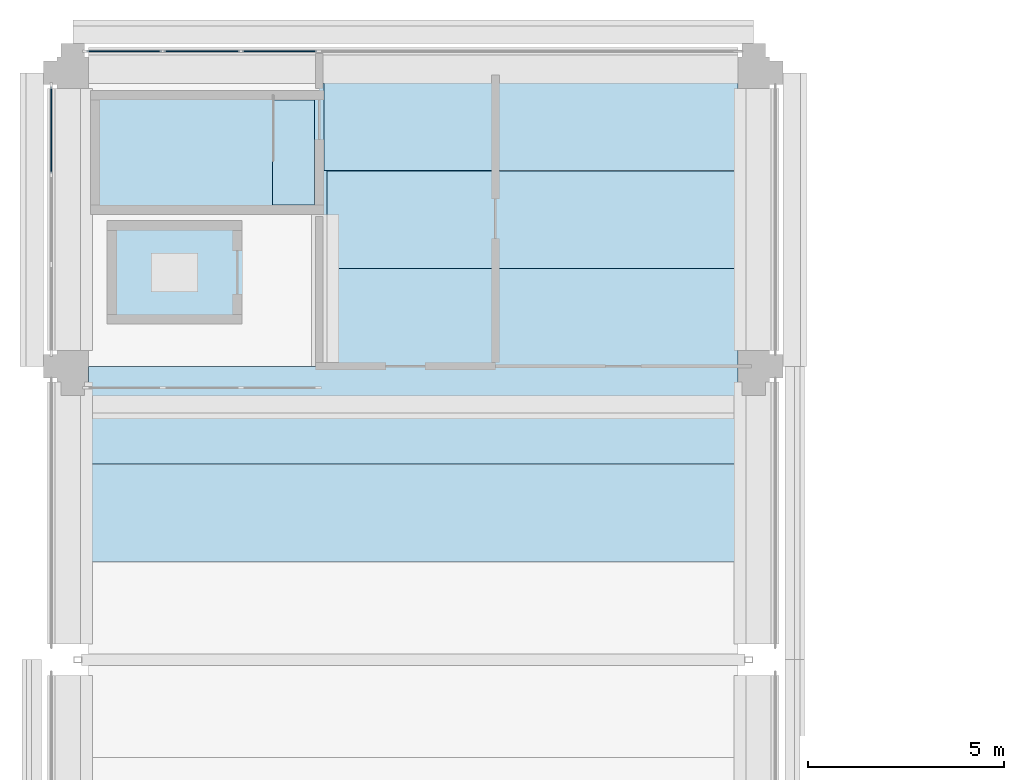
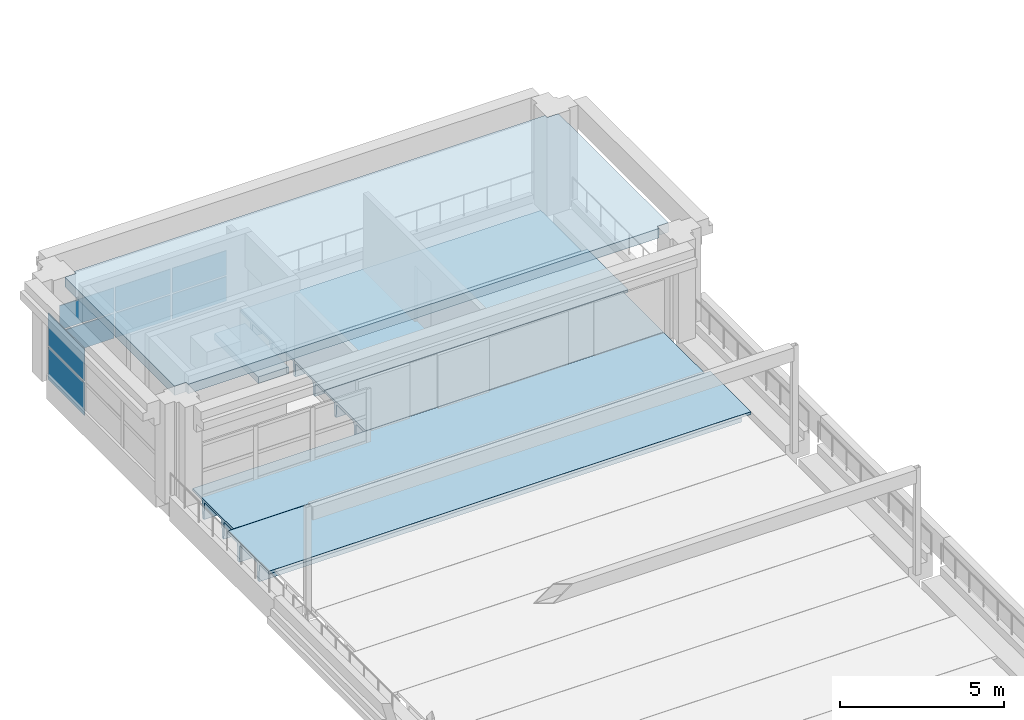
# One storey, part 37 of 62: 8 plates, 7 slabs, 2 elements without a shape of their own.
"""IFC4 building model written with IfcOpenShell, lengths in metres."""

import ifcopenshell
import ifcopenshell.guid

model = None  # the IFC model being written
_history = None  # IfcOwnerHistory: only IFC2X3 demands one
_inside = {}  # id of a spatial element -> (the spatial element, [elements in it])
_under = {}  # id of a project, library or spatial element -> (it, [spatial elements below it])
_declared = {}  # id of a project -> (the project, [libraries it declares])
_typed = {}  # id of a type object -> (the type object, [elements of that type])
_made_of = {}  # id of a material, layer set ... -> (it, [elements and type objects made of it])


def new_model(schema):
    """Start an empty IFC model of exactly this schema.

    Asked for "IFC4X3", IfcOpenShell would pick the latest addendum, in which some entities
    have other attributes; the version numbers below select the first issue.
    IFC2X3 requires an IfcOwnerHistory on every rooted entity: one is made here for all.
    """
    global model, _history
    if schema == "IFC4X3":
        model = ifcopenshell.file(schema_version=(4, 3, 0, 0))
    else:
        model = ifcopenshell.file(schema=schema)
    _inside.clear()
    _under.clear()
    _declared.clear()
    _typed.clear()
    _made_of.clear()
    _history = None
    if model.schema == "IFC2X3":
        org = make("IfcOrganization", Name="unknown")
        user = make(
            "IfcPersonAndOrganization",
            ThePerson=make("IfcPerson", FamilyName="unknown"),
            TheOrganization=org,
        )
        app = make(
            "IfcApplication",
            ApplicationDeveloper=org,
            Version="unknown",
            ApplicationFullName="unknown",
            ApplicationIdentifier="unknown",
        )
        _history = make(
            "IfcOwnerHistory",
            OwningUser=user,
            OwningApplication=app,
            ChangeAction="ADDED",
            CreationDate=0,
        )
    return model


def make(cls, **values):
    """One entity of the class cls with the attributes given. An attribute that is None is left unset."""
    return model.create_entity(
        cls, **{name: value for name, value in values.items() if value is not None}
    )


def rooted(cls, **values):
    """An entity with a GlobalId (a new one), such as an element, a storey or a relation."""
    return make(cls, GlobalId=ifcopenshell.guid.new(), OwnerHistory=_history, **values)


def si_unit(unit_type, name, prefix=None):
    """IfcSIUnit, for example si_unit("LENGTHUNIT", "METRE", prefix="MILLI")."""
    return make("IfcSIUnit", UnitType=unit_type, Prefix=prefix, Name=name)


def assignment(units):
    """IfcUnitAssignment: the units of a project."""
    return None if units is None else make("IfcUnitAssignment", Units=units)


def point(xyz):
    """IfcCartesianPoint."""
    return None if xyz is None else make("IfcCartesianPoint", Coordinates=xyz)


def direction(xyz):
    """IfcDirection."""
    return None if xyz is None else make("IfcDirection", DirectionRatios=xyz)


def frame(location, z_axis=None, x_axis=None):
    """IfcAxis2Placement3D, a coordinate frame: its origin and axes. An axis left out is left unset."""
    return make(
        "IfcAxis2Placement3D",
        Location=point(location),
        Axis=direction(z_axis),
        RefDirection=direction(x_axis),
    )


def frame_2d(location, x_axis=None):
    """IfcAxis2Placement2D, a coordinate frame in the plane: its origin and x axis."""
    return make(
        "IfcAxis2Placement2D", Location=point(location), RefDirection=direction(x_axis)
    )


def origin():
    """The frame at (0, 0, 0) with its axes left unset."""
    return frame((0.0, 0.0, 0.0))


def origin_2d():
    """The frame at (0, 0) in the plane with its x axis left unset."""
    return frame_2d((0.0, 0.0))


def place(relative_to, where):
    """IfcLocalPlacement: puts the frame where relative to a parent placement (None: the world)."""
    return make(
        "IfcLocalPlacement", PlacementRelTo=relative_to, RelativePlacement=where
    )


def context(
    kind, dimensions, precision=None, world=None, true_north=None, identifier=None
):
    """IfcGeometricRepresentationContext, for example the 3D "Model" context."""
    return make(
        "IfcGeometricRepresentationContext",
        ContextIdentifier=identifier,
        ContextType=kind,
        CoordinateSpaceDimension=dimensions,
        Precision=precision,
        WorldCoordinateSystem=world,
        TrueNorth=true_north,
    )


def subcontext(parent, identifier, kind, view, scale=None):
    """IfcGeometricRepresentationSubContext, for example "Body" below "Model"."""
    return make(
        "IfcGeometricRepresentationSubContext",
        ContextIdentifier=identifier,
        ContextType=kind,
        ParentContext=parent,
        TargetScale=scale,
        TargetView=view,
    )


def project(units=None, contexts=None):
    """IfcProject with its units and contexts."""
    return rooted(
        "IfcProject",
        Name="project",
        RepresentationContexts=contexts,
        UnitsInContext=assignment(units),
    )


def spatial(cls, under=None, at=None, **own):
    """A site, building, storey or space (cls), placed at a placement, below another one or the project."""
    s = rooted(cls, ObjectPlacement=at, **own)
    if under is not None:
        _under.setdefault(under.id(), (under, []))[1].append(s)
    return s


def polyline(points):
    """IfcPolyline through the points."""
    return make("IfcPolyline", Points=[point(p) for p in points])


def profile(cls, at=None, kind="AREA", **sizes):
    """A parametric profile (cls). Its sizes go by their IFC names, for example OverallWidth=200.0."""
    return make(cls, ProfileType=kind, Position=at, **sizes)


def rectangle(**sizes):
    """IfcRectangleProfileDef."""
    return profile("IfcRectangleProfileDef", **sizes)


def outline(outer, holes=None, kind="AREA"):
    """IfcArbitraryClosedProfileDef: a profile drawn as a closed curve; with holes, ...WithVoids."""
    if holes is None:
        return make("IfcArbitraryClosedProfileDef", ProfileType=kind, OuterCurve=outer)
    return make(
        "IfcArbitraryProfileDefWithVoids",
        ProfileType=kind,
        OuterCurve=outer,
        InnerCurves=holes,
    )


def extrude(swept, where, along, depth):
    """IfcExtrudedAreaSolid: the profile swept, set in the frame where, extruded along a direction by depth."""
    return make(
        "IfcExtrudedAreaSolid",
        SweptArea=swept,
        Position=where,
        ExtrudedDirection=direction(along),
        Depth=depth,
    )


def shape(context_of_items, identifier, shape_type, items):
    """IfcShapeRepresentation: the items that make up one representation, for example the "Body"."""
    return make(
        "IfcShapeRepresentation",
        ContextOfItems=context_of_items,
        RepresentationIdentifier=identifier,
        RepresentationType=shape_type,
        Items=items,
    )


def material(Name=None, Category=None):
    """IfcMaterial."""
    return make("IfcMaterial", Name=Name, Category=Category)


def layer(
    of_material, thickness, ventilated=None, Name=None, Category=None, Priority=None
):
    """IfcMaterialLayer: one layer of a wall or slab, of a material (None: an air gap)."""
    return make(
        "IfcMaterialLayer",
        Material=of_material,
        LayerThickness=thickness,
        IsVentilated=ventilated,
        Name=Name,
        Category=Category,
        Priority=Priority,
    )


def layer_set(layers, Name=None):
    """IfcMaterialLayerSet."""
    return make("IfcMaterialLayerSet", MaterialLayers=layers, LayerSetName=Name)


def material_profile(
    of_material, cross_section, Name=None, Category=None, Priority=None
):
    """IfcMaterialProfile: a cross section and its material."""
    return make(
        "IfcMaterialProfile",
        Name=Name,
        Material=of_material,
        Profile=cross_section,
        Priority=Priority,
        Category=Category,
    )


def profile_set(profiles, Name=None, composite=None):
    """IfcMaterialProfileSet."""
    return make(
        "IfcMaterialProfileSet",
        Name=Name,
        MaterialProfiles=profiles,
        CompositeProfile=composite,
    )


def made_of(thing, what):
    """Note that an element or type object is made of a material, layer set ...; save() writes the relation."""
    if what is not None:
        _made_of.setdefault(what.id(), (what, []))[1].append(thing)
    return thing


def type_object(cls, material=None, **own):
    """A type object (cls), such as IfcWallType, which elements share."""
    return made_of(rooted(cls, **own), material)


def element(
    cls,
    number,
    at=None,
    inside=None,
    cuts=None,
    type_object=None,
    material=None,
    context=None,
    identifier="Body",
    shape_type=None,
    held_by="IfcProductDefinitionShape",
    body=None,
    shapes=None,
    **own,
):
    """One element of the class cls, such as IfcWall. Its Tag is "e" and its number.

    at: its placement. inside: the storey or other place that contains it. cuts: it is an
    opening in that element (IfcRelVoidsElement). A single representation is given by context,
    identifier, shape_type and body (its items); several are given by shapes. held_by: the class
    of the entity that holds the representations. save() writes the other relations.
    """
    e = rooted(cls, Tag="e%d" % number, ObjectPlacement=at, **own)
    if body is not None:
        shapes = [shape(context, identifier, shape_type, body)]
    if shapes is not None:
        e.Representation = make(held_by, Representations=shapes)
    if inside is not None:
        _inside.setdefault(inside.id(), (inside, []))[1].append(e)
    if cuts is not None:
        rooted(
            "IfcRelVoidsElement", RelatingBuildingElement=cuts, RelatedOpeningElement=e
        )
    if type_object is not None:
        _typed.setdefault(type_object.id(), (type_object, []))[1].append(e)
    return made_of(e, material)


def aggregate(whole, parts):
    """IfcRelAggregates: a whole, such as a stair, and the parts it consists of."""
    return rooted("IfcRelAggregates", RelatingObject=whole, RelatedObjects=parts)


def save(model, path):
    """Write the relations noted so far, then the file.

    IfcRelAggregates (storeys below a building ...), IfcRelContainedInSpatialStructure (elements
    in a storey), IfcRelDefinesByType, IfcRelAssociatesMaterial and IfcRelDeclares: one each for
    every whole, place, type object, material and project.
    """
    for whole, parts in _under.values():
        aggregate(whole, parts)
    for where, things in _inside.values():
        rooted(
            "IfcRelContainedInSpatialStructure",
            RelatedElements=things,
            RelatingStructure=where,
        )
    for kind, things in _typed.values():
        rooted("IfcRelDefinesByType", RelatedObjects=things, RelatingType=kind)
    for what, things in _made_of.values():
        rooted("IfcRelAssociatesMaterial", RelatedObjects=things, RelatingMaterial=what)
    for by, libraries in _declared.values():
        rooted("IfcRelDeclares", RelatingContext=by, RelatedDefinitions=libraries)
    model.write(path)


model = new_model("IFC4")

# Units and contexts
model_context = context("Model", 3, precision=1e-05, world=origin(), true_north=direction((0.0, 1.0)))
body_context = subcontext(model_context, "Body", "Model", "MODEL_VIEW")
ifc_project = project(units=[si_unit("LENGTHUNIT", "METRE"), si_unit("AREAUNIT", "SQUARE_METRE"), si_unit("VOLUMEUNIT", "CUBIC_METRE"), si_unit("PLANEANGLEUNIT", "RADIAN"), si_unit("MASSUNIT", "GRAM", prefix="KILO")], contexts=[model_context])

# Site, building, storey
site_placement = place(None, origin())
site = spatial("IfcSite", under=ifc_project, at=site_placement, CompositionType="ELEMENT")
building_placement = place(site_placement, origin())
building = spatial("IfcBuilding", under=site, at=building_placement, Name="Cour d'Honneur Mobility Palace", CompositionType="ELEMENT")
storey_placement = place(building_placement, frame((0.0, 0.0, 19.300048828125)))
storey = spatial("IfcBuildingStorey", under=building, at=storey_placement, Name="L05", CompositionType="ELEMENT", Elevation=19.300048828125)

# Slab
ifc_material_1 = material(Name="Concrete C50", Category="concrete")
ifc_layer_1 = layer(ifc_material_1, 0.25)
ifc_layer_set_1 = layer_set([ifc_layer_1], Name="Concrete C50")
slab_type_1 = type_object("IfcSlabType", Name="Cast-in-place Slab 250", PredefinedType="FLOOR", material=ifc_layer_set_1)
slab_1_placement = place(storey_placement, frame((0.0, 0.0, -0.25)))
element("IfcSlab", 1, at=slab_1_placement, inside=storey, type_object=slab_type_1, Name="Cast-in-place slab S1 L05 core", PredefinedType="FLOOR", context=body_context, shape_type="SweptSolid", body=[
    extrude(outline(polyline([(6.175048828125, 111.52490234375), (5.10009765625, 111.52490234375), (5.10009765625, 114.199951171875), (6.175048828125, 114.199951171875), (6.175048828125, 111.52490234375)])), origin(), (0.0, 0.0, 1.0), 0.25),
])

# Curtain wall, plates
ifc_material_2 = material(Name="Aluminium and glass", Category="aluminium")
ifc_layer_2 = layer(ifc_material_2, 0.10009765625)
ifc_layer_set_2 = layer_set([ifc_layer_2], Name="Aluminium and glass")
curtain_wall_type = type_object("IfcCurtainWallType", Name="Curtain wall run", PredefinedType="NOTDEFINED", material=ifc_layer_set_2)
curtain_wall_1_placement = place(storey_placement, origin())
curtain_wall_1 = element("IfcCurtainWall", 2, at=curtain_wall_1_placement, inside=storey, type_object=curtain_wall_type, Name="Curtain wall CW-132", PredefinedType="NOTDEFINED")
ifc_material_3 = material(Name="Double glazing", Category="glass")
ifc_layer_3 = layer(ifc_material_3, 0.028076171875)
ifc_layer_set_3 = layer_set([ifc_layer_3], Name="Double glazing")
plate_type = type_object("IfcPlateType", Name="Curtain wall panel", PredefinedType="CURTAIN_PANEL", material=ifc_layer_set_3)
plate_1_placement = place(storey_placement, frame((5.284912109375, 115.449951171875, 0.06005859375), z_axis=(0.0, 0.0, 1.0), x_axis=(-1.0, 0.0, 0.0)))
plate_1 = element("IfcPlate", 3, at=plate_1_placement, type_object=plate_type, Name="CW-132 panel 1.1", PredefinedType="CURTAIN_PANEL", context=body_context, shape_type="SweptSolid", body=[
    extrude(rectangle(XDim=1.909912109375, YDim=0.028076171875, at=origin_2d()), origin(), (0.0, 0.0, 1.0), 0.909912109375),
])
plate_2_placement = place(storey_placement, frame((5.284912109375, 115.449951171875, 1.02978515625), z_axis=(0.0, 0.0, 1.0), x_axis=(-1.0, 0.0, 0.0)))
plate_2 = element("IfcPlate", 4, at=plate_2_placement, type_object=plate_type, Name="CW-132 panel 1.2", PredefinedType="CURTAIN_PANEL", context=body_context, shape_type="SweptSolid", body=[
    extrude(rectangle(XDim=1.909912109375, YDim=0.028076171875, at=origin_2d()), origin(), (0.0, 0.0, 1.0), 0.909912109375),
])
plate_3_placement = place(storey_placement, frame((3.300048828125, 115.449951171875, 0.06005859375), z_axis=(0.0, 0.0, 1.0), x_axis=(-1.0, 0.0, 0.0)))
plate_3 = element("IfcPlate", 5, at=plate_3_placement, type_object=plate_type, Name="CW-132 panel 2.1", PredefinedType="CURTAIN_PANEL", context=body_context, shape_type="SweptSolid", body=[
    extrude(rectangle(XDim=1.93994140625, YDim=0.028076171875, at=origin_2d()), origin(), (0.0, 0.0, 1.0), 0.909912109375),
])
plate_4_placement = place(storey_placement, frame((3.300048828125, 115.449951171875, 1.02978515625), z_axis=(0.0, 0.0, 1.0), x_axis=(-1.0, 0.0, 0.0)))
plate_4 = element("IfcPlate", 6, at=plate_4_placement, type_object=plate_type, Name="CW-132 panel 2.2", PredefinedType="CURTAIN_PANEL", context=body_context, shape_type="SweptSolid", body=[
    extrude(rectangle(XDim=1.93994140625, YDim=0.028076171875, at=origin_2d()), origin(), (0.0, 0.0, 1.0), 0.909912109375),
])
plate_5_placement = place(storey_placement, frame((1.31494140625, 115.449951171875, 0.06005859375), z_axis=(0.0, 0.0, 1.0), x_axis=(-1.0, 0.0, 0.0)))
plate_5 = element("IfcPlate", 7, at=plate_5_placement, type_object=plate_type, Name="CW-132 panel 3.1", PredefinedType="CURTAIN_PANEL", context=body_context, shape_type="SweptSolid", body=[
    extrude(rectangle(XDim=1.909912109375, YDim=0.028076171875, at=origin_2d()), origin(), (0.0, 0.0, 1.0), 0.909912109375),
])
plate_6_placement = place(storey_placement, frame((1.31494140625, 115.449951171875, 1.02978515625), z_axis=(0.0, 0.0, 1.0), x_axis=(-1.0, 0.0, 0.0)))
plate_6 = element("IfcPlate", 8, at=plate_6_placement, type_object=plate_type, Name="CW-132 panel 3.2", PredefinedType="CURTAIN_PANEL", context=body_context, shape_type="SweptSolid", body=[
    extrude(rectangle(XDim=1.909912109375, YDim=0.028076171875, at=origin_2d()), origin(), (0.0, 0.0, 1.0), 0.909912109375),
])
aggregate(curtain_wall_1, [plate_1, plate_2, plate_3, plate_4, plate_5, plate_6])

curtain_wall_2_placement = place(storey_placement, origin())
curtain_wall_2 = element("IfcCurtainWall", 9, at=curtain_wall_2_placement, inside=storey, type_object=curtain_wall_type, Name="Curtain wall CW-133", PredefinedType="NOTDEFINED")
plate_7_placement = place(storey_placement, frame((-0.550048828125, 113.43505859375, 0.06005859375), z_axis=(0.0, 0.0, 1.0), x_axis=(0.0, -1.0, 0.0)))
plate_7 = element("IfcPlate", 10, at=plate_7_placement, type_object=plate_type, Name="CW-133 panel 1.1", PredefinedType="CURTAIN_PANEL", context=body_context, shape_type="SweptSolid", body=[
    extrude(rectangle(XDim=2.2099609375, YDim=0.028076171875, at=origin_2d()), origin(), (0.0, 0.0, 1.0), 1.2099609375),
])
plate_8_placement = place(storey_placement, frame((-0.550048828125, 113.43505859375, 1.330078125), z_axis=(0.0, 0.0, 1.0), x_axis=(0.0, -1.0, 0.0)))
plate_8 = element("IfcPlate", 11, at=plate_8_placement, type_object=plate_type, Name="CW-133 panel 1.2", PredefinedType="CURTAIN_PANEL", context=body_context, shape_type="SweptSolid", body=[
    extrude(rectangle(XDim=2.2099609375, YDim=0.028076171875, at=origin_2d()), origin(), (0.0, 0.0, 1.0), 1.2099609375),
])
aggregate(curtain_wall_2, [plate_7, plate_8])

# Slabs
ifc_material_4 = material(Name="Concrete C45", Category="concrete")
ifc_material_profile_1 = material_profile(ifc_material_4, outline(polyline([(-1.2451171875, 0.0), (1.2451171875, 0.0), (1.2451171875, -0.10009765625), (0.679931640625, -0.10009765625), (0.64990234375, -0.60009765625), (0.550048828125, -0.60009765625), (0.52001953125, -0.10009765625), (-0.52001953125, -0.10009765625), (-0.550048828125, -0.60009765625), (-0.64990234375, -0.60009765625), (-0.679931640625, -0.10009765625), (-1.2451171875, -0.10009765625), (-1.2451171875, 0.0)])), Name="DT 2490x600")
ifc_profile_set_1 = profile_set([ifc_material_profile_1], Name="Concrete C45")
slab_type_2 = type_object("IfcSlabType", Name="DT 2490x600", PredefinedType="FLOOR", material=ifc_profile_set_1)
slab_2_placement = place(storey_placement, frame((6.5, 108.64990234375, 0.0), z_axis=(1.0, 0.0, 0.0), x_axis=(0.0, 1.0, 0.0)))
element("IfcSlab", 12, at=slab_2_placement, inside=storey, type_object=slab_type_2, Name="Double tee DT-NW19 L05", PredefinedType="FLOOR", context=body_context, shape_type="SweptSolid", body=[
    extrude(outline(polyline([(-1.2451171875, 0.0), (1.2451171875, 0.0), (1.2451171875, -0.10009765625), (0.679931640625, -0.10009765625), (0.64990234375, -0.60009765625), (0.550048828125, -0.60009765625), (0.52001953125, -0.10009765625), (-0.52001953125, -0.10009765625), (-0.550048828125, -0.60009765625), (-0.64990234375, -0.60009765625), (-0.679931640625, -0.10009765625), (-1.2451171875, -0.10009765625), (-1.2451171875, 0.0)])), origin(), (0.0, 0.0, 1.0), 10.5),
])
slab_3_placement = place(storey_placement, frame((6.5, 111.14990234375, 0.0), z_axis=(1.0, 0.0, 0.0), x_axis=(0.0, 1.0, 0.0)))
element("IfcSlab", 13, at=slab_3_placement, inside=storey, type_object=slab_type_2, Name="Double tee DT-NW20 L05", PredefinedType="FLOOR", context=body_context, shape_type="SweptSolid", body=[
    extrude(outline(polyline([(-1.2451171875, 0.0), (1.2451171875, 0.0), (1.2451171875, -0.10009765625), (0.679931640625, -0.10009765625), (0.64990234375, -0.60009765625), (0.550048828125, -0.60009765625), (0.52001953125, -0.10009765625), (-0.52001953125, -0.10009765625), (-0.550048828125, -0.60009765625), (-0.64990234375, -0.60009765625), (-0.679931640625, -0.10009765625), (-1.2451171875, -0.10009765625), (-1.2451171875, 0.0)])), origin(), (0.0, 0.0, 1.0), 10.699951171875),
])
slab_4_placement = place(storey_placement, frame((6.425048828125, 113.64990234375, 0.0), z_axis=(1.0, 0.0, 0.0), x_axis=(0.0, 1.0, 0.0)))
element("IfcSlab", 14, at=slab_4_placement, inside=storey, type_object=slab_type_2, Name="Double tee DT-NW21 L05", PredefinedType="FLOOR", context=body_context, shape_type="SweptSolid", body=[
    extrude(outline(polyline([(-1.2451171875, 0.0), (1.2451171875, 0.0), (1.2451171875, -0.10009765625), (0.679931640625, -0.10009765625), (0.64990234375, -0.60009765625), (0.550048828125, -0.60009765625), (0.52001953125, -0.10009765625), (-0.52001953125, -0.10009765625), (-0.550048828125, -0.60009765625), (-0.64990234375, -0.60009765625), (-0.679931640625, -0.10009765625), (-1.2451171875, -0.10009765625), (-1.2451171875, 0.0)])), origin(), (0.0, 0.0, 1.0), 10.574951171875),
])
ifc_material_5 = material(Name="Concrete C45", Category="concrete")
ifc_material_profile_2 = material_profile(ifc_material_5, outline(polyline([(-1.2451171875, 0.0), (1.2451171875, 0.0), (1.2451171875, -0.10009765625), (0.679931640625, -0.10009765625), (0.64990234375, -0.75), (0.550048828125, -0.75), (0.52001953125, -0.10009765625), (-0.52001953125, -0.10009765625), (-0.550048828125, -0.75), (-0.64990234375, -0.75), (-0.679931640625, -0.10009765625), (-1.2451171875, -0.10009765625), (-1.2451171875, 0.0)])), Name="DT 2490x750")
ifc_profile_set_2 = profile_set([ifc_material_profile_2], Name="Concrete C45")
slab_type_3 = type_object("IfcSlabType", Name="DT 2490x750", PredefinedType="FLOOR", material=ifc_profile_set_2)
slab_5_placement = place(storey_placement, frame((0.199951171875, 103.64990234375, 0.0), z_axis=(1.0, 0.0, 0.0), x_axis=(0.0, 1.0, 0.0)))
element("IfcSlab", 15, at=slab_5_placement, inside=storey, type_object=slab_type_3, Name="Double tee DT-NW17 L05", PredefinedType="FLOOR", context=body_context, shape_type="SweptSolid", body=[
    extrude(outline(polyline([(-1.2451171875, 0.0), (1.2451171875, 0.0), (1.2451171875, -0.10009765625), (0.679931640625, -0.10009765625), (0.64990234375, -0.75), (0.550048828125, -0.75), (0.52001953125, -0.10009765625), (-0.52001953125, -0.10009765625), (-0.550048828125, -0.75), (-0.64990234375, -0.75), (-0.679931640625, -0.10009765625), (-1.2451171875, -0.10009765625), (-1.2451171875, 0.0)])), origin(), (0.0, 0.0, 1.0), 17.0),
])
slab_6_placement = place(storey_placement, frame((0.39990234375, 106.14990234375, 0.0), z_axis=(1.0, 0.0, 0.0), x_axis=(0.0, 1.0, 0.0)))
element("IfcSlab", 16, at=slab_6_placement, inside=storey, type_object=slab_type_3, Name="Double tee DT-NW18 L05", PredefinedType="FLOOR", context=body_context, shape_type="SweptSolid", body=[
    extrude(outline(polyline([(-1.2451171875, 0.0), (1.2451171875, 0.0), (1.2451171875, -0.10009765625), (0.679931640625, -0.10009765625), (0.64990234375, -0.75), (0.550048828125, -0.75), (0.52001953125, -0.10009765625), (-0.52001953125, -0.10009765625), (-0.550048828125, -0.75), (-0.64990234375, -0.75), (-0.679931640625, -0.10009765625), (-1.2451171875, -0.10009765625), (-1.2451171875, 0.0)])), origin(), (0.0, 0.0, 1.0), 16.60009765625),
])
ifc_material_6 = material(Name="Concrete C50", Category="concrete")
ifc_layer_4 = layer(ifc_material_6, 0.35009765625)
ifc_layer_set_4 = layer_set([ifc_layer_4], Name="Concrete C50")
slab_type_4 = type_object("IfcSlabType", Name="Roof Slab 350", PredefinedType="ROOF", material=ifc_layer_set_4)
slab_7_placement = place(storey_placement, frame((0.0, 0.0, 3.349853515625)))
element("IfcSlab", 17, at=slab_7_placement, inside=storey, type_object=slab_type_4, Name="Pavilion roof slab NWP", PredefinedType="ROOF", context=body_context, shape_type="SweptSolid", body=[
    extrude(outline(polyline([(17.0, 107.800048828125), (17.0, 107.675048828125), (0.39990234375, 107.675048828125), (0.39990234375, 107.800048828125), (0.0, 107.800048828125), (0.0, 114.5), (0.39990234375, 114.5), (0.39990234375, 114.625), (17.0, 114.625), (17.0, 114.5), (17.39990234375, 114.5), (17.39990234375, 107.800048828125), (17.0, 107.800048828125)])), origin(), (0.0, 0.0, 1.0), 0.35009765625),
])

save(model, "model.ifc")
